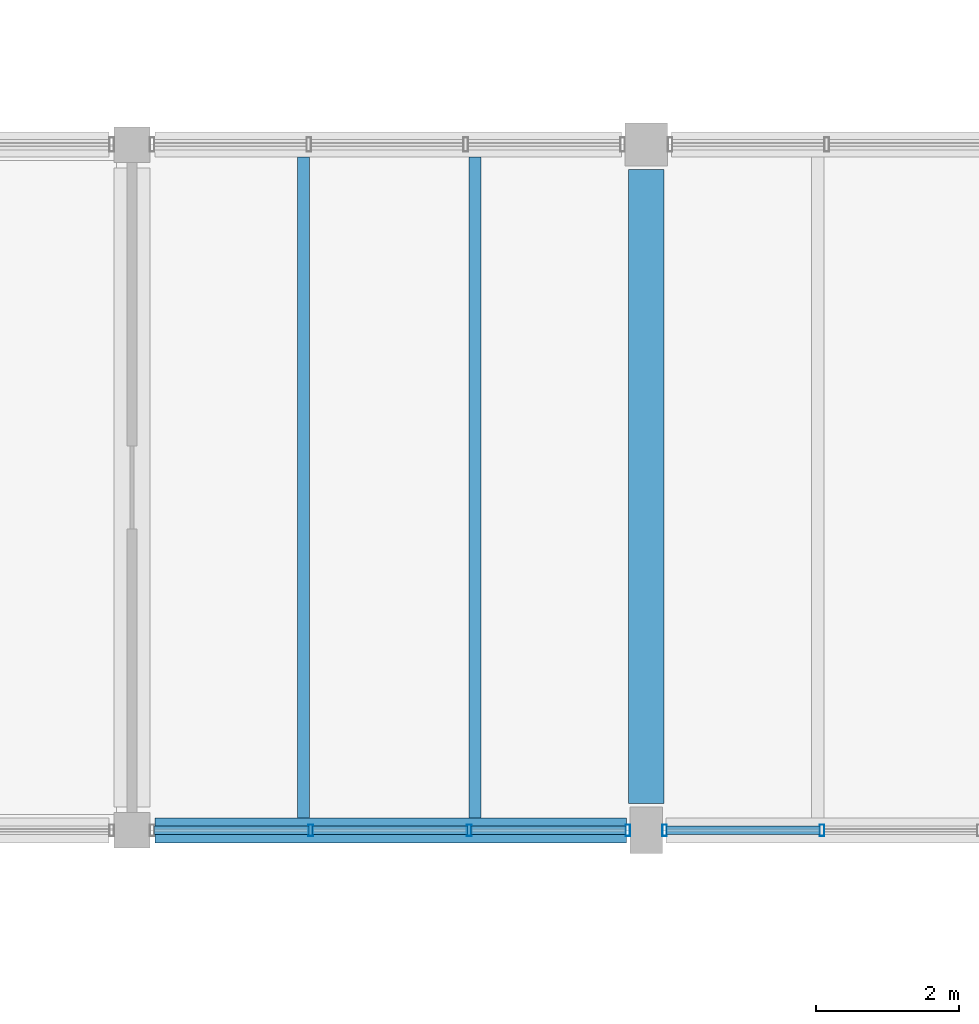
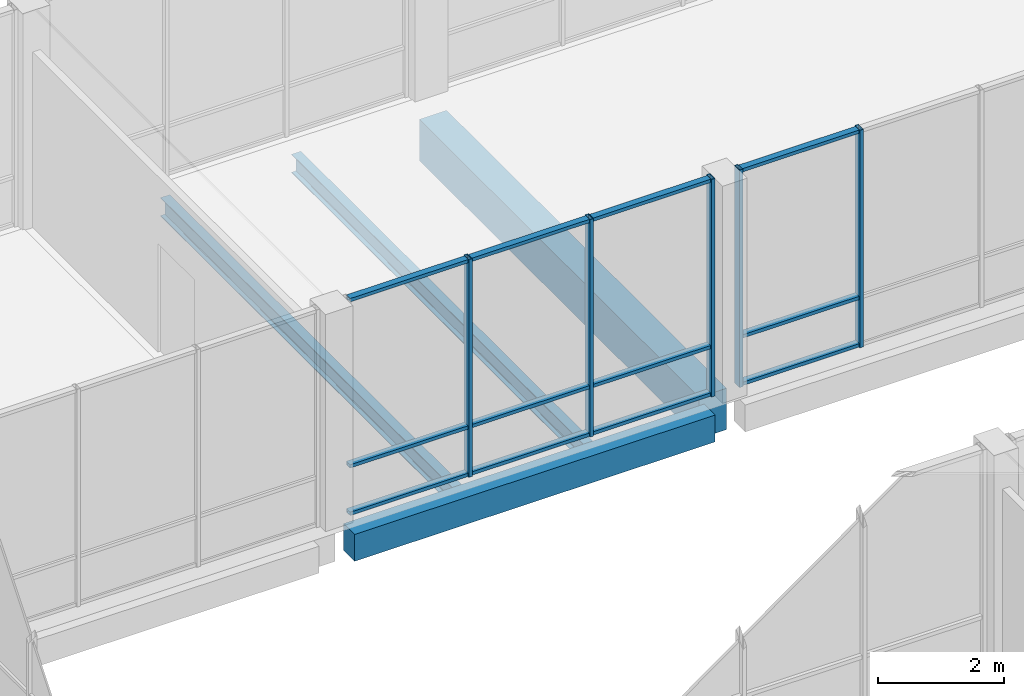
# One storey, part 24 of 104: 17 members, 4 beams, 2 elements without a shape of their own.
"""IFC4 building model written with IfcOpenShell, lengths in metres."""

from ifc_helpers import new_model, si_unit, direction, frame, origin, origin_2d, place, context, subcontext, project, spatial, rectangle, hollow_rectangle, i_section, extrude, material, material_profile, profile_set, type_object, element, aggregate, save


model = new_model("IFC4")

# Units and contexts
model_context = context("Model", 3, precision=1e-05, world=origin(), true_north=direction((0.0, 1.0)))
body_context = subcontext(model_context, "Body", "Model", "MODEL_VIEW")
ifc_project = project(units=[si_unit("LENGTHUNIT", "METRE"), si_unit("AREAUNIT", "SQUARE_METRE"), si_unit("VOLUMEUNIT", "CUBIC_METRE"), si_unit("PLANEANGLEUNIT", "RADIAN"), si_unit("MASSUNIT", "GRAM", prefix="KILO")], contexts=[model_context])

# Site, building, storey
site_placement = place(None, origin())
site = spatial("IfcSite", under=ifc_project, at=site_placement, CompositionType="ELEMENT")
building_placement = place(site_placement, origin())
building = spatial("IfcBuilding", under=site, at=building_placement, Name="Hawrajan Terrace Health Centre", CompositionType="ELEMENT")
storey_placement = place(building_placement, origin())
storey = spatial("IfcBuildingStorey", under=building, at=storey_placement, Name="L00", CompositionType="ELEMENT", Elevation=0.0)

# Curtain wall, members
ifc_material_1 = material(Name="Anodized bronze aluminium and low-E solar glazing", Category="aluminium")
curtain_wall_type_1 = type_object("IfcCurtainWallType", Name="CW_Pavilion_SeriesE1", PredefinedType="USERDEFINED", material=ifc_material_1)
curtain_wall_1_placement = place(storey_placement, origin())
curtain_wall_1 = element("IfcCurtainWall", 1, at=curtain_wall_1_placement, inside=storey, type_object=curtain_wall_type_1, Name="Curtain wall CW-L00-012", ObjectType="UNITISED CURTAIN WALL", PredefinedType="USERDEFINED")
ifc_material_2 = material(Name="Anodized bronze aluminium 6063-T6", Category="aluminium")
ifc_material_profile_1 = material_profile(ifc_material_2, hollow_rectangle(XDim=0.06494140625, YDim=0.159912109375, WallThickness=0.00390625, at=origin_2d()), Name="CW MUL 65x160")
ifc_profile_set_1 = profile_set([ifc_material_profile_1], Name="Anodized bronze aluminium 6063-T6")
member_type_1 = type_object("IfcMemberType", Name="CWMullion_65x160", PredefinedType="MULLION", material=ifc_profile_set_1)
member_1_placement = place(storey_placement, frame((35.902587890625, 27.199951171875, -0.0048828125), z_axis=(0.0, 0.0, 1.0), x_axis=(1.0, 0.0, 0.0)))
member_1 = element("IfcMember", 2, at=member_1_placement, type_object=member_type_1, Name="Mullion CW-L00-012-M2", PredefinedType="MULLION", context=body_context, shape_type="SweptSolid", body=[
    extrude(hollow_rectangle(XDim=0.06494140625, YDim=0.159912109375, WallThickness=0.00390625, at=origin_2d()), origin(), (0.0, 0.0, 1.0), 4.2099609375),
])
member_2_placement = place(storey_placement, frame((38.12255859375, 27.199951171875, -0.0048828125), z_axis=(0.0, 0.0, 1.0), x_axis=(1.0, 0.0, 0.0)))
member_2 = element("IfcMember", 3, at=member_2_placement, type_object=member_type_1, Name="Mullion CW-L00-012-M3", PredefinedType="MULLION", context=body_context, shape_type="SweptSolid", body=[
    extrude(hollow_rectangle(XDim=0.06494140625, YDim=0.159912109375, WallThickness=0.00390625, at=origin_2d()), origin(), (0.0, 0.0, 1.0), 4.2099609375),
])
member_3_placement = place(storey_placement, frame((40.342529296875, 27.199951171875, -0.0048828125), z_axis=(0.0, 0.0, 1.0), x_axis=(1.0, 0.0, 0.0)))
member_3 = element("IfcMember", 4, at=member_3_placement, type_object=member_type_1, Name="Mullion CW-L00-012-M4", PredefinedType="MULLION", context=body_context, shape_type="SweptSolid", body=[
    extrude(hollow_rectangle(XDim=0.06494140625, YDim=0.159912109375, WallThickness=0.00390625, at=origin_2d()), origin(), (0.0, 0.0, 1.0), 4.2099609375),
])

curtain_wall_type_2 = type_object("IfcCurtainWallType", Name="CW_Clerestory_SeriesG3", PredefinedType="USERDEFINED", material=ifc_material_1)
curtain_wall_2_placement = place(storey_placement, origin())
curtain_wall_2 = element("IfcCurtainWall", 5, at=curtain_wall_2_placement, inside=storey, type_object=curtain_wall_type_2, Name="Curtain wall CW-L00-018", ObjectType="UNITISED CURTAIN WALL", PredefinedType="USERDEFINED")
member_4_placement = place(storey_placement, frame((40.857421875, 27.199951171875, -0.0048828125), z_axis=(0.0, 0.0, 1.0), x_axis=(1.0, 0.0, 0.0)))
member_4 = element("IfcMember", 6, at=member_4_placement, type_object=member_type_1, Name="Mullion CW-L00-018-M1", PredefinedType="MULLION", context=body_context, shape_type="SweptSolid", body=[
    extrude(hollow_rectangle(XDim=0.06494140625, YDim=0.159912109375, WallThickness=0.00390625, at=origin_2d()), origin(), (0.0, 0.0, 1.0), 4.2099609375),
])
member_5_placement = place(storey_placement, frame((43.060791015625, 27.199951171875, -0.0048828125), z_axis=(0.0, 0.0, 1.0), x_axis=(1.0, 0.0, 0.0)))
member_5 = element("IfcMember", 7, at=member_5_placement, type_object=member_type_1, Name="Mullion CW-L00-018-M2", PredefinedType="MULLION", context=body_context, shape_type="SweptSolid", body=[
    extrude(hollow_rectangle(XDim=0.06494140625, YDim=0.159912109375, WallThickness=0.00390625, at=origin_2d()), origin(), (0.0, 0.0, 1.0), 4.2099609375),
])

# Member
ifc_material_profile_2 = material_profile(ifc_material_2, hollow_rectangle(XDim=0.06494140625, YDim=0.1201171875, WallThickness=0.00341796875, at=origin_2d()), Name="CW TRN 65x120")
ifc_profile_set_2 = profile_set([ifc_material_profile_2], Name="Anodized bronze aluminium 6063-T6")
member_type_2 = type_object("IfcMemberType", Name="CWTransom_65x120", PredefinedType="USERDEFINED", material=ifc_profile_set_2)
member_6_placement = place(storey_placement, frame((33.708984375, 27.199951171875, 0.032470703125), z_axis=(1.0, 0.0, 0.0), x_axis=(0.0, 0.0, 1.0)))
member_6 = element("IfcMember", 8, at=member_6_placement, type_object=member_type_2, Name="Transom CW-L00-012-T1-1", ObjectType="TRANSOM", PredefinedType="USERDEFINED", context=body_context, shape_type="SweptSolid", body=[
    extrude(hollow_rectangle(XDim=0.06494140625, YDim=0.1201171875, WallThickness=0.00341796875, at=origin_2d()), origin(), (0.0, 0.0, 1.0), 2.1669921875),
])

member_7_placement = place(storey_placement, frame((33.708984375, 27.199951171875, 0.949951171875), z_axis=(1.0, 0.0, 0.0), x_axis=(0.0, 0.0, 1.0)))
member_7 = element("IfcMember", 9, at=member_7_placement, type_object=member_type_2, Name="Transom CW-L00-012-T1-2", ObjectType="TRANSOM", PredefinedType="USERDEFINED", context=body_context, shape_type="SweptSolid", body=[
    extrude(hollow_rectangle(XDim=0.06494140625, YDim=0.1201171875, WallThickness=0.00341796875, at=origin_2d()), origin(), (0.0, 0.0, 1.0), 2.1669921875),
])

member_8_placement = place(storey_placement, frame((33.708984375, 27.199951171875, 4.16748046875), z_axis=(1.0, 0.0, 0.0), x_axis=(0.0, 0.0, 1.0)))
member_8 = element("IfcMember", 10, at=member_8_placement, type_object=member_type_2, Name="Transom CW-L00-012-T1-3", ObjectType="TRANSOM", PredefinedType="USERDEFINED", context=body_context, shape_type="SweptSolid", body=[
    extrude(hollow_rectangle(XDim=0.06494140625, YDim=0.1201171875, WallThickness=0.00341796875, at=origin_2d()), origin(), (0.0, 0.0, 1.0), 2.1669921875),
])

member_9_placement = place(storey_placement, frame((35.928955078125, 27.199951171875, 0.032470703125), z_axis=(1.0, 0.0, 0.0), x_axis=(0.0, 0.0, 1.0)))
member_9 = element("IfcMember", 11, at=member_9_placement, type_object=member_type_2, Name="Transom CW-L00-012-T2-1", ObjectType="TRANSOM", PredefinedType="USERDEFINED", context=body_context, shape_type="SweptSolid", body=[
    extrude(hollow_rectangle(XDim=0.06494140625, YDim=0.1201171875, WallThickness=0.00341796875, at=origin_2d()), origin(), (0.0, 0.0, 1.0), 2.1669921875),
])

member_10_placement = place(storey_placement, frame((35.928955078125, 27.199951171875, 0.949951171875), z_axis=(1.0, 0.0, 0.0), x_axis=(0.0, 0.0, 1.0)))
member_10 = element("IfcMember", 12, at=member_10_placement, type_object=member_type_2, Name="Transom CW-L00-012-T2-2", ObjectType="TRANSOM", PredefinedType="USERDEFINED", context=body_context, shape_type="SweptSolid", body=[
    extrude(hollow_rectangle(XDim=0.06494140625, YDim=0.1201171875, WallThickness=0.00341796875, at=origin_2d()), origin(), (0.0, 0.0, 1.0), 2.1669921875),
])

member_11_placement = place(storey_placement, frame((35.928955078125, 27.199951171875, 4.16748046875), z_axis=(1.0, 0.0, 0.0), x_axis=(0.0, 0.0, 1.0)))
member_11 = element("IfcMember", 13, at=member_11_placement, type_object=member_type_2, Name="Transom CW-L00-012-T2-3", ObjectType="TRANSOM", PredefinedType="USERDEFINED", context=body_context, shape_type="SweptSolid", body=[
    extrude(hollow_rectangle(XDim=0.06494140625, YDim=0.1201171875, WallThickness=0.00341796875, at=origin_2d()), origin(), (0.0, 0.0, 1.0), 2.1669921875),
])

member_12_placement = place(storey_placement, frame((38.14892578125, 27.199951171875, 0.032470703125), z_axis=(1.0, 0.0, 0.0), x_axis=(0.0, 0.0, 1.0)))
member_12 = element("IfcMember", 14, at=member_12_placement, type_object=member_type_2, Name="Transom CW-L00-012-T3-1", ObjectType="TRANSOM", PredefinedType="USERDEFINED", context=body_context, shape_type="SweptSolid", body=[
    extrude(hollow_rectangle(XDim=0.06494140625, YDim=0.1201171875, WallThickness=0.00341796875, at=origin_2d()), origin(), (0.0, 0.0, 1.0), 2.1669921875),
])

member_13_placement = place(storey_placement, frame((38.14892578125, 27.199951171875, 0.949951171875), z_axis=(1.0, 0.0, 0.0), x_axis=(0.0, 0.0, 1.0)))
member_13 = element("IfcMember", 15, at=member_13_placement, type_object=member_type_2, Name="Transom CW-L00-012-T3-2", ObjectType="TRANSOM", PredefinedType="USERDEFINED", context=body_context, shape_type="SweptSolid", body=[
    extrude(hollow_rectangle(XDim=0.06494140625, YDim=0.1201171875, WallThickness=0.00341796875, at=origin_2d()), origin(), (0.0, 0.0, 1.0), 2.1669921875),
])

member_14_placement = place(storey_placement, frame((38.14892578125, 27.199951171875, 4.16748046875), z_axis=(1.0, 0.0, 0.0), x_axis=(0.0, 0.0, 1.0)))
member_14 = element("IfcMember", 16, at=member_14_placement, type_object=member_type_2, Name="Transom CW-L00-012-T3-3", ObjectType="TRANSOM", PredefinedType="USERDEFINED", context=body_context, shape_type="SweptSolid", body=[
    extrude(hollow_rectangle(XDim=0.06494140625, YDim=0.1201171875, WallThickness=0.00341796875, at=origin_2d()), origin(), (0.0, 0.0, 1.0), 2.1669921875),
])

aggregate(curtain_wall_1, [member_1, member_2, member_3, member_6, member_7, member_8, member_9, member_10, member_11, member_12, member_13, member_14])

member_15_placement = place(storey_placement, frame((40.884033203125, 27.199951171875, 0.032470703125), z_axis=(1.0, 0.0, 0.0), x_axis=(0.0, 0.0, 1.0)))
member_15 = element("IfcMember", 17, at=member_15_placement, type_object=member_type_2, Name="Transom CW-L00-018-T1-1", ObjectType="TRANSOM", PredefinedType="USERDEFINED", context=body_context, shape_type="SweptSolid", body=[
    extrude(hollow_rectangle(XDim=0.06494140625, YDim=0.1201171875, WallThickness=0.00341796875, at=origin_2d()), origin(), (0.0, 0.0, 1.0), 2.150146484375),
])

member_16_placement = place(storey_placement, frame((40.884033203125, 27.199951171875, 0.949951171875), z_axis=(1.0, 0.0, 0.0), x_axis=(0.0, 0.0, 1.0)))
member_16 = element("IfcMember", 18, at=member_16_placement, type_object=member_type_2, Name="Transom CW-L00-018-T1-2", ObjectType="TRANSOM", PredefinedType="USERDEFINED", context=body_context, shape_type="SweptSolid", body=[
    extrude(hollow_rectangle(XDim=0.06494140625, YDim=0.1201171875, WallThickness=0.00341796875, at=origin_2d()), origin(), (0.0, 0.0, 1.0), 2.150146484375),
])

member_17_placement = place(storey_placement, frame((40.884033203125, 27.199951171875, 4.16748046875), z_axis=(1.0, 0.0, 0.0), x_axis=(0.0, 0.0, 1.0)))
member_17 = element("IfcMember", 19, at=member_17_placement, type_object=member_type_2, Name="Transom CW-L00-018-T1-3", ObjectType="TRANSOM", PredefinedType="USERDEFINED", context=body_context, shape_type="SweptSolid", body=[
    extrude(hollow_rectangle(XDim=0.06494140625, YDim=0.1201171875, WallThickness=0.00341796875, at=origin_2d()), origin(), (0.0, 0.0, 1.0), 2.150146484375),
])

aggregate(curtain_wall_2, [member_4, member_5, member_15, member_16, member_17])

# Beams
ifc_material_3 = material(Name="Concrete C40/50", Category="concrete")
ifc_material_profile_3 = material_profile(ifc_material_3, rectangle(XDim=0.5, YDim=0.800048828125, at=origin_2d()), Name="RC BM 500x800")
ifc_profile_set_3 = profile_set([ifc_material_profile_3], Name="Concrete C40/50")
beam_type_1 = type_object("IfcBeamType", Name="RCGirder_500x800", PredefinedType="BEAM", material=ifc_profile_set_3)
beam_1_placement = place(storey_placement, frame((40.60009765625, 27.574951171875, -0.699951171875), z_axis=(0.0, 1.0, 0.0), x_axis=(-1.0, 0.0, 0.0)))
element("IfcBeam", 20, at=beam_1_placement, inside=storey, type_object=beam_type_1, Name="Beam BM-Y-L00-W-X06-4", PredefinedType="BEAM", context=body_context, shape_type="SweptSolid", body=[
    extrude(rectangle(XDim=0.5, YDim=0.800048828125, at=origin_2d()), origin(), (0.0, 0.0, 1.0), 8.875),
])
ifc_material_profile_4 = material_profile(ifc_material_3, rectangle(XDim=0.35009765625, YDim=0.52001953125, at=origin_2d()), Name="RC SP 350x520")
ifc_profile_set_4 = profile_set([ifc_material_profile_4], Name="Concrete C40/50")
beam_type_2 = type_object("IfcBeamType", Name="RCSpandrel_350x520", PredefinedType="SPANDREL", material=ifc_profile_set_4)
beam_2_placement = place(storey_placement, frame((33.72509765625, 27.199951171875, -0.56005859375), z_axis=(1.0, 0.0, 0.0), x_axis=(0.0, 1.0, 0.0)))
element("IfcBeam", 21, at=beam_2_placement, inside=storey, type_object=beam_type_2, Name="Beam BM-X-L00-W-05-Y4", PredefinedType="SPANDREL", context=body_context, shape_type="SweptSolid", body=[
    extrude(rectangle(XDim=0.35009765625, YDim=0.52001953125, at=origin_2d()), origin(), (0.0, 0.0, 1.0), 6.599853515625),
])
ifc_material_4 = material(Name="Steel S355", Category="steel")
ifc_material_profile_5 = material_profile(ifc_material_4, i_section(OverallWidth=0.169921875, OverallDepth=0.360107421875, WebThickness=0.008056640625, FlangeThickness=0.0126953125, FilletRadius=0.01806640625, at=origin_2d()), Name="IPE 360")
ifc_profile_set_5 = profile_set([ifc_material_profile_5], Name="Steel S355")
beam_type_3 = type_object("IfcBeamType", Name="SteelBeam_IPE360", PredefinedType="BEAM", material=ifc_profile_set_5)
for number, where, z_axis, x_axis, name in (
    (22, (35.800048828125, 27.375, -0.47998046875), (0.0, 1.0, 0.0), (-1.0, 0.0, 0.0), "Secondary joist JST-L00-W-05-4-1"),
    (23, (38.199951171875, 27.375, -0.47998046875), (0.0, 1.0, 0.0), (-1.0, 0.0, 0.0), "Secondary joist JST-L00-W-05-4-2"),
):
    element("IfcBeam", number, at=place(storey_placement, frame(where, z_axis=z_axis, x_axis=x_axis)), inside=storey, type_object=beam_type_3, Name=name, PredefinedType="BEAM", context=body_context, shape_type="SweptSolid", body=[
        extrude(i_section(OverallWidth=0.169921875, OverallDepth=0.360107421875, WebThickness=0.008056640625, FlangeThickness=0.0126953125, FilletRadius=0.01806640625, at=origin_2d()), origin(), (0.0, 0.0, 1.0), 9.25),
    ])

save(model, "model.ifc")
